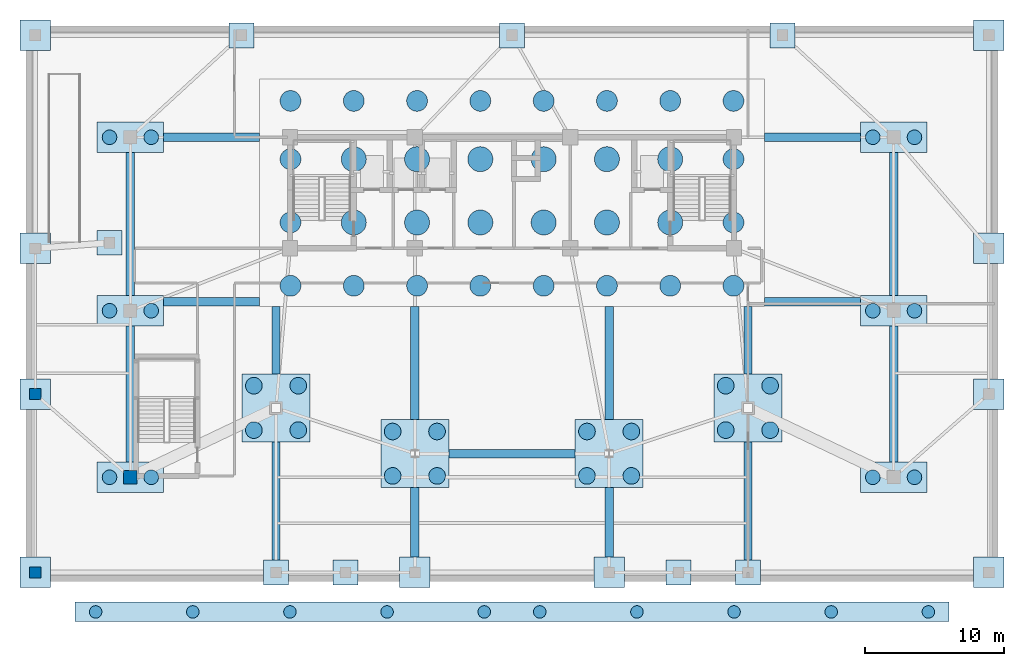
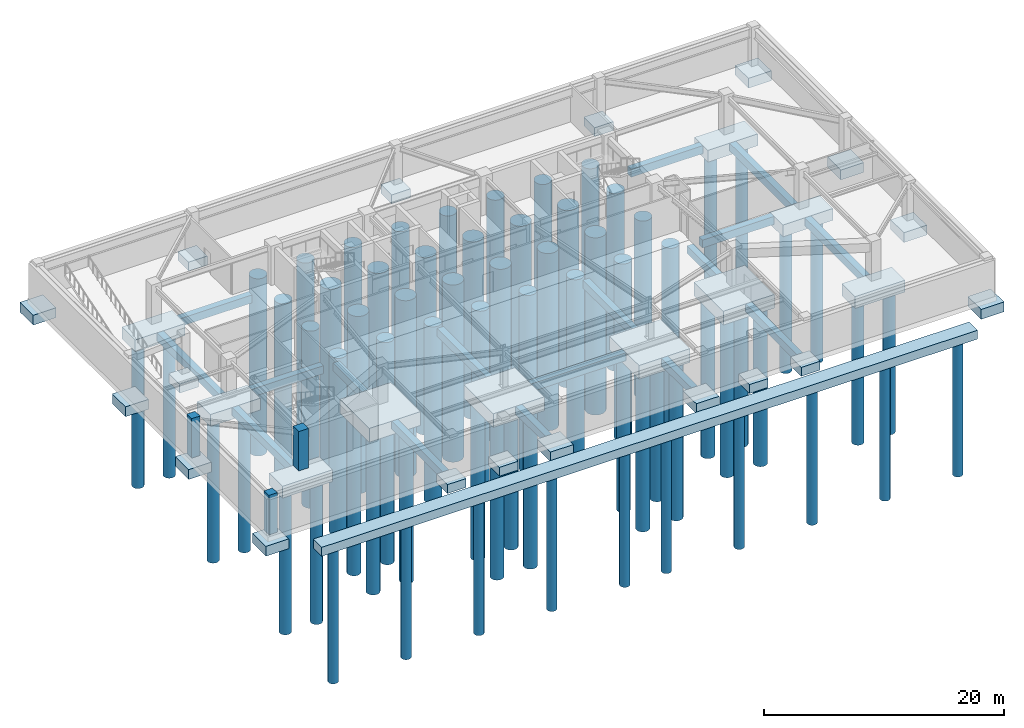
# One storey, part 1 of 10: 70 piles, 46 footings, 3 columns.
"""IFC4 building model written with IfcOpenShell, lengths in metres."""

from ifc_helpers import new_model, si_unit, direction, frame, origin, origin_2d, place, context, subcontext, project, spatial, rectangle, circle, extrude, source, transform, mapped, material, material_profile, profile_set, type_object, element, save


model = new_model("IFC4")

# Units and contexts
model_context = context("Model", 3, precision=1e-05, world=origin(), true_north=direction((0.0, 1.0)))
body_context = subcontext(model_context, "Body", "Model", "MODEL_VIEW")
ifc_project = project(units=[si_unit("LENGTHUNIT", "METRE"), si_unit("AREAUNIT", "SQUARE_METRE"), si_unit("VOLUMEUNIT", "CUBIC_METRE"), si_unit("PLANEANGLEUNIT", "RADIAN"), si_unit("MASSUNIT", "GRAM", prefix="KILO")], contexts=[model_context])

# Site, building, storey
site_placement = place(None, origin())
site = spatial("IfcSite", under=ifc_project, at=site_placement, CompositionType="ELEMENT")
building_placement = place(site_placement, origin())
building = spatial("IfcBuilding", under=site, at=building_placement, Name="Taldren Reach Tower", CompositionType="ELEMENT")
storey_placement = place(building_placement, frame((0.0, 0.0, -8.0)))
storey = spatial("IfcBuildingStorey", under=building, at=storey_placement, Name="B2", CompositionType="ELEMENT", Elevation=-8.0)

# Piles
ifc_material_1 = material(Name="Concrete S65 (65 MPa)", Category="concrete")
ifc_material_profile_1 = material_profile(ifc_material_1, circle(Radius=0.75, at=origin_2d()), Name="PB-1500")
ifc_profile_set_1 = profile_set([ifc_material_profile_1], Name="Concrete S65 (65 MPa)")
pile_type_1 = type_object("IfcPileType", Name="PILE-B1500", PredefinedType="BORED", material=ifc_profile_set_1)
shared_shape_1 = source(origin(), body_context, "Body", "SweptSolid", [
    extrude(circle(Radius=0.75, at=origin_2d()), origin(), (0.0, 0.0, 1.0), 18.0),
])
for number, where, z_axis, x_axis, name in (
    (1, (19.0400390625, 21.300048828125, -0.89990234375), (0.0, 0.0, -1.0), (1.0, 0.0, 0.0), "Core rock-socketed bored pile PR-01"),
    (2, (23.60009765625, 21.300048828125, -0.89990234375), (0.0, 0.0, -1.0), (1.0, 0.0, 0.0), "Core rock-socketed bored pile PR-02"),
    (3, (28.159912109375, 21.300048828125, -0.89990234375), (0.0, 0.0, -1.0), (1.0, 0.0, 0.0), "Core rock-socketed bored pile PR-03"),
    (4, (32.719970703125, 21.300048828125, -0.89990234375), (0.0, 0.0, -1.0), (1.0, 0.0, 0.0), "Core rock-socketed bored pile PR-04"),
    (5, (37.280029296875, 21.300048828125, -0.89990234375), (0.0, 0.0, -1.0), (1.0, 0.0, 0.0), "Core rock-socketed bored pile PR-05"),
    (6, (41.840087890625, 21.300048828125, -0.89990234375), (0.0, 0.0, -1.0), (1.0, 0.0, 0.0), "Core rock-socketed bored pile PR-06"),
    (7, (46.39990234375, 21.300048828125, -0.89990234375), (0.0, 0.0, -1.0), (1.0, 0.0, 0.0), "Core rock-socketed bored pile PR-07"),
    (8, (50.9599609375, 21.300048828125, -0.89990234375), (0.0, 0.0, -1.0), (1.0, 0.0, 0.0), "Core rock-socketed bored pile PR-08"),
    (9, (19.0400390625, 25.860107421875, -0.89990234375), (0.0, 0.0, -1.0), (1.0, 0.0, 0.0), "Core rock-socketed bored pile PR-09"),
    (10, (50.9599609375, 25.860107421875, -0.89990234375), (0.0, 0.0, -1.0), (1.0, 0.0, 0.0), "Core rock-socketed bored pile PR-16"),
    (11, (19.0400390625, 30.419921875, -0.89990234375), (0.0, 0.0, -1.0), (1.0, 0.0, 0.0), "Core rock-socketed bored pile PR-17"),
    (12, (50.9599609375, 30.419921875, -0.89990234375), (0.0, 0.0, -1.0), (1.0, 0.0, 0.0), "Core rock-socketed bored pile PR-24"),
    (13, (19.0400390625, 34.6201171875, -0.89990234375), (0.0, 0.0, -1.0), (1.0, 0.0, 0.0), "Core rock-socketed bored pile PR-25"),
    (14, (23.60009765625, 34.6201171875, -0.89990234375), (0.0, 0.0, -1.0), (1.0, 0.0, 0.0), "Core rock-socketed bored pile PR-26"),
    (15, (28.159912109375, 34.6201171875, -0.89990234375), (0.0, 0.0, -1.0), (1.0, 0.0, 0.0), "Core rock-socketed bored pile PR-27"),
    (16, (32.719970703125, 34.6201171875, -0.89990234375), (0.0, 0.0, -1.0), (1.0, 0.0, 0.0), "Core rock-socketed bored pile PR-28"),
    (17, (37.280029296875, 34.6201171875, -0.89990234375), (0.0, 0.0, -1.0), (1.0, 0.0, 0.0), "Core rock-socketed bored pile PR-29"),
    (18, (41.840087890625, 34.6201171875, -0.89990234375), (0.0, 0.0, -1.0), (1.0, 0.0, 0.0), "Core rock-socketed bored pile PR-30"),
    (19, (46.39990234375, 34.6201171875, -0.89990234375), (0.0, 0.0, -1.0), (1.0, 0.0, 0.0), "Core rock-socketed bored pile PR-31"),
    (20, (50.9599609375, 34.6201171875, -0.89990234375), (0.0, 0.0, -1.0), (1.0, 0.0, 0.0), "Core rock-socketed bored pile PR-32"),
):
    element("IfcPile", number, at=place(storey_placement, frame(where, z_axis=z_axis, x_axis=x_axis)), inside=storey, type_object=pile_type_1, Name=name, PredefinedType="BORED", context=body_context, shape_type="MappedRepresentation", body=[
        mapped(shared_shape_1, transform((0.0, 0.0, 0.0), scale=1.0)),
    ])
ifc_material_profile_2 = material_profile(ifc_material_1, circle(Radius=0.89990234375, at=origin_2d()), Name="PB-1800")
ifc_profile_set_2 = profile_set([ifc_material_profile_2], Name="Concrete S65 (65 MPa)")
pile_type_2 = type_object("IfcPileType", Name="PILE-B1800", PredefinedType="BORED", material=ifc_profile_set_2)
shared_shape_2 = source(origin(), body_context, "Body", "SweptSolid", [
    extrude(circle(Radius=0.89990234375, at=origin_2d()), origin(), (0.0, 0.0, 1.0), 18.0),
])
for number, where, z_axis, x_axis, name in (
    (21, (23.60009765625, 25.860107421875, -0.89990234375), (0.0, 0.0, -1.0), (1.0, 0.0, 0.0), "Core rock-socketed bored pile PR-10"),
    (22, (28.159912109375, 25.860107421875, -0.89990234375), (0.0, 0.0, -1.0), (1.0, 0.0, 0.0), "Core rock-socketed bored pile PR-11"),
    (23, (32.719970703125, 25.860107421875, -0.89990234375), (0.0, 0.0, -1.0), (1.0, 0.0, 0.0), "Core rock-socketed bored pile PR-12"),
    (24, (37.280029296875, 25.860107421875, -0.89990234375), (0.0, 0.0, -1.0), (1.0, 0.0, 0.0), "Core rock-socketed bored pile PR-13"),
    (25, (41.840087890625, 25.860107421875, -0.89990234375), (0.0, 0.0, -1.0), (1.0, 0.0, 0.0), "Core rock-socketed bored pile PR-14"),
    (26, (46.39990234375, 25.860107421875, -0.89990234375), (0.0, 0.0, -1.0), (1.0, 0.0, 0.0), "Core rock-socketed bored pile PR-15"),
    (27, (23.60009765625, 30.419921875, -0.89990234375), (0.0, 0.0, -1.0), (1.0, 0.0, 0.0), "Core rock-socketed bored pile PR-18"),
    (28, (28.159912109375, 30.419921875, -0.89990234375), (0.0, 0.0, -1.0), (1.0, 0.0, 0.0), "Core rock-socketed bored pile PR-19"),
    (29, (32.719970703125, 30.419921875, -0.89990234375), (0.0, 0.0, -1.0), (1.0, 0.0, 0.0), "Core rock-socketed bored pile PR-20"),
    (30, (37.280029296875, 30.419921875, -0.89990234375), (0.0, 0.0, -1.0), (1.0, 0.0, 0.0), "Core rock-socketed bored pile PR-21"),
    (31, (41.840087890625, 30.419921875, -0.89990234375), (0.0, 0.0, -1.0), (1.0, 0.0, 0.0), "Core rock-socketed bored pile PR-22"),
    (32, (46.39990234375, 30.419921875, -0.89990234375), (0.0, 0.0, -1.0), (1.0, 0.0, 0.0), "Core rock-socketed bored pile PR-23"),
):
    element("IfcPile", number, at=place(storey_placement, frame(where, z_axis=z_axis, x_axis=x_axis)), inside=storey, type_object=pile_type_2, Name=name, PredefinedType="BORED", context=body_context, shape_type="MappedRepresentation", body=[
        mapped(shared_shape_2, transform((0.0, 0.0, 0.0), scale=1.0)),
    ])

# Footings
footing_type_1 = type_object("IfcFootingType", Name="FT-CAP-4P", PredefinedType="PILE_CAP", material=ifc_material_1)
shared_shape_3 = source(origin(), body_context, "Body", "SweptSolid", [
    extrude(rectangle(XDim=4.89990234375, YDim=4.89990234375, at=origin_2d()), origin(), (0.0, 0.0, 1.0), 1.39990234375),
])
for number, where, z_axis, x_axis, name in (
    (33, (28.0, 9.199951171875, -1.89990234375), (0.0, 0.0, 1.0), (1.0, 0.0, 0.0), "Mega-column 4-pile cap MC-PJW"),
    (34, (42.0, 9.199951171875, -1.89990234375), (0.0, 0.0, 1.0), (1.0, 0.0, 0.0), "Mega-column 4-pile cap MC-PJE"),
    (35, (18.0, 12.5, -1.89990234375), (0.0, 0.0, 1.0), (1.0, 0.0, 0.0), "Mega-column 4-pile cap MC-SW"),
    (36, (52.0, 12.5, -1.89990234375), (0.0, 0.0, 1.0), (1.0, 0.0, 0.0), "Mega-column 4-pile cap MC-SE"),
):
    element("IfcFooting", number, at=place(storey_placement, frame(where, z_axis=z_axis, x_axis=x_axis)), inside=storey, type_object=footing_type_1, Name=name, PredefinedType="PILE_CAP", context=body_context, shape_type="MappedRepresentation", body=[
        mapped(shared_shape_3, transform((0.0, 0.0, 0.0), scale=1.0)),
    ])

# Piles
ifc_material_profile_3 = material_profile(ifc_material_1, circle(Radius=0.60009765625, at=origin_2d()), Name="PB-1200")
ifc_profile_set_3 = profile_set([ifc_material_profile_3], Name="Concrete S65 (65 MPa)")
pile_type_3 = type_object("IfcPileType", Name="PILE-B1200", PredefinedType="BORED", material=ifc_profile_set_3)
shared_shape_4 = source(origin(), body_context, "Body", "SweptSolid", [
    extrude(circle(Radius=0.60009765625, at=origin_2d()), origin(), (0.0, 0.0, 1.0), 16.5),
])
for number, where, z_axis, x_axis, name in (
    (37, (26.39990234375, 7.60009765625, -1.300048828125), (0.0, 0.0, -1.0), (1.0, 0.0, 0.0), "Cap bored pile MC-PJW-1"),
    (38, (26.39990234375, 10.800048828125, -1.300048828125), (0.0, 0.0, -1.0), (1.0, 0.0, 0.0), "Cap bored pile MC-PJW-2"),
    (39, (29.60009765625, 7.60009765625, -1.300048828125), (0.0, 0.0, -1.0), (1.0, 0.0, 0.0), "Cap bored pile MC-PJW-3"),
    (40, (29.60009765625, 10.800048828125, -1.300048828125), (0.0, 0.0, -1.0), (1.0, 0.0, 0.0), "Cap bored pile MC-PJW-4"),
    (41, (40.39990234375, 7.60009765625, -1.300048828125), (0.0, 0.0, -1.0), (1.0, 0.0, 0.0), "Cap bored pile MC-PJE-1"),
    (42, (40.39990234375, 10.800048828125, -1.300048828125), (0.0, 0.0, -1.0), (1.0, 0.0, 0.0), "Cap bored pile MC-PJE-2"),
    (43, (43.60009765625, 7.60009765625, -1.300048828125), (0.0, 0.0, -1.0), (1.0, 0.0, 0.0), "Cap bored pile MC-PJE-3"),
    (44, (43.60009765625, 10.800048828125, -1.300048828125), (0.0, 0.0, -1.0), (1.0, 0.0, 0.0), "Cap bored pile MC-PJE-4"),
    (45, (16.39990234375, 10.89990234375, -1.300048828125), (0.0, 0.0, -1.0), (1.0, 0.0, 0.0), "Cap bored pile MC-SW-1"),
    (46, (16.39990234375, 14.10009765625, -1.300048828125), (0.0, 0.0, -1.0), (1.0, 0.0, 0.0), "Cap bored pile MC-SW-2"),
    (47, (19.60009765625, 10.89990234375, -1.300048828125), (0.0, 0.0, -1.0), (1.0, 0.0, 0.0), "Cap bored pile MC-SW-3"),
    (48, (19.60009765625, 14.10009765625, -1.300048828125), (0.0, 0.0, -1.0), (1.0, 0.0, 0.0), "Cap bored pile MC-SW-4"),
    (49, (50.39990234375, 10.89990234375, -1.300048828125), (0.0, 0.0, -1.0), (1.0, 0.0, 0.0), "Cap bored pile MC-SE-1"),
    (50, (50.39990234375, 14.10009765625, -1.300048828125), (0.0, 0.0, -1.0), (1.0, 0.0, 0.0), "Cap bored pile MC-SE-2"),
    (51, (53.60009765625, 10.89990234375, -1.300048828125), (0.0, 0.0, -1.0), (1.0, 0.0, 0.0), "Cap bored pile MC-SE-3"),
    (52, (53.60009765625, 14.10009765625, -1.300048828125), (0.0, 0.0, -1.0), (1.0, 0.0, 0.0), "Cap bored pile MC-SE-4"),
):
    element("IfcPile", number, at=place(storey_placement, frame(where, z_axis=z_axis, x_axis=x_axis)), inside=storey, type_object=pile_type_3, Name=name, PredefinedType="BORED", context=body_context, shape_type="MappedRepresentation", body=[
        mapped(shared_shape_4, transform((0.0, 0.0, 0.0), scale=1.0)),
    ])

# Footings
footing_type_2 = type_object("IfcFootingType", Name="FT-CAP-2P", PredefinedType="PILE_CAP", material=ifc_material_1)
shared_shape_5 = source(origin(), body_context, "Body", "SweptSolid", [
    extrude(rectangle(XDim=4.800048828125, YDim=2.199951171875, at=origin_2d()), origin(), (0.0, 0.0, 1.0), 1.199951171875),
])
for number, where, z_axis, x_axis, name in (
    (53, (7.5, 7.5, -1.7001953125), (0.0, 0.0, 1.0), (1.0, 0.0, 0.0), "Podium 2-pile cap PG-1"),
    (54, (7.5, 19.5, -1.7001953125), (0.0, 0.0, 1.0), (1.0, 0.0, 0.0), "Podium 2-pile cap PG-2"),
    (55, (7.5, 32.0, -1.7001953125), (0.0, 0.0, 1.0), (1.0, 0.0, 0.0), "Podium 2-pile cap PG-3"),
    (56, (62.5, 7.5, -1.7001953125), (0.0, 0.0, 1.0), (1.0, 0.0, 0.0), "Podium 2-pile cap PG-4"),
    (57, (62.5, 19.5, -1.7001953125), (0.0, 0.0, 1.0), (1.0, 0.0, 0.0), "Podium 2-pile cap PG-5"),
    (58, (62.5, 32.0, -1.7001953125), (0.0, 0.0, 1.0), (1.0, 0.0, 0.0), "Podium 2-pile cap PG-6"),
):
    element("IfcFooting", number, at=place(storey_placement, frame(where, z_axis=z_axis, x_axis=x_axis)), inside=storey, type_object=footing_type_2, Name=name, PredefinedType="PILE_CAP", context=body_context, shape_type="MappedRepresentation", body=[
        mapped(shared_shape_5, transform((0.0, 0.0, 0.0), scale=1.0)),
    ])

# Piles
ifc_material_profile_4 = material_profile(ifc_material_1, circle(Radius=0.52490234375, at=origin_2d()), Name="PB-1050")
ifc_profile_set_4 = profile_set([ifc_material_profile_4], Name="Concrete S65 (65 MPa)")
pile_type_4 = type_object("IfcPileType", Name="PILE-B1050", PredefinedType="BORED", material=ifc_profile_set_4)
shared_shape_6 = source(origin(), body_context, "Body", "SweptSolid", [
    extrude(circle(Radius=0.52490234375, at=origin_2d()), origin(), (0.0, 0.0, 1.0), 15.0),
])
for number, where, z_axis, x_axis, name in (
    (59, (6.0, 7.5, -1.199951171875), (0.0, 0.0, -1.0), (1.0, 0.0, 0.0), "Cap bored pile PG-1-1"),
    (60, (9.0, 7.5, -1.199951171875), (0.0, 0.0, -1.0), (1.0, 0.0, 0.0), "Cap bored pile PG-1-2"),
    (61, (6.0, 19.5, -1.199951171875), (0.0, 0.0, -1.0), (1.0, 0.0, 0.0), "Cap bored pile PG-2-1"),
    (62, (9.0, 19.5, -1.199951171875), (0.0, 0.0, -1.0), (1.0, 0.0, 0.0), "Cap bored pile PG-2-2"),
    (63, (6.0, 32.0, -1.199951171875), (0.0, 0.0, -1.0), (1.0, 0.0, 0.0), "Cap bored pile PG-3-1"),
    (64, (9.0, 32.0, -1.199951171875), (0.0, 0.0, -1.0), (1.0, 0.0, 0.0), "Cap bored pile PG-3-2"),
    (65, (61.0, 7.5, -1.199951171875), (0.0, 0.0, -1.0), (1.0, 0.0, 0.0), "Cap bored pile PG-4-1"),
    (66, (64.0, 7.5, -1.199951171875), (0.0, 0.0, -1.0), (1.0, 0.0, 0.0), "Cap bored pile PG-4-2"),
    (67, (61.0, 19.5, -1.199951171875), (0.0, 0.0, -1.0), (1.0, 0.0, 0.0), "Cap bored pile PG-5-1"),
    (68, (64.0, 19.5, -1.199951171875), (0.0, 0.0, -1.0), (1.0, 0.0, 0.0), "Cap bored pile PG-5-2"),
    (69, (61.0, 32.0, -1.199951171875), (0.0, 0.0, -1.0), (1.0, 0.0, 0.0), "Cap bored pile PG-6-1"),
    (70, (64.0, 32.0, -1.199951171875), (0.0, 0.0, -1.0), (1.0, 0.0, 0.0), "Cap bored pile PG-6-2"),
):
    element("IfcPile", number, at=place(storey_placement, frame(where, z_axis=z_axis, x_axis=x_axis)), inside=storey, type_object=pile_type_4, Name=name, PredefinedType="BORED", context=body_context, shape_type="MappedRepresentation", body=[
        mapped(shared_shape_6, transform((0.0, 0.0, 0.0), scale=1.0)),
    ])

# Footings
ifc_material_2 = material(Name="Concrete S50 (50 MPa)", Category="concrete")
footing_type_3 = type_object("IfcFootingType", Name="FT-PAD-2200", PredefinedType="PAD_FOOTING", material=ifc_material_2)
shared_shape_7 = source(origin(), body_context, "Body", "SweptSolid", [
    extrude(rectangle(XDim=2.199951171875, YDim=2.199951171875, at=origin_2d()), origin(), (0.0, 0.0, 1.0), 1.0),
])
for number, where, z_axis, x_axis, name in (
    (71, (28.0, 0.64990234375, -1.5), (0.0, 0.0, 1.0), (1.0, 0.0, 0.0), "Rock-bearing pad footing PG-7"),
    (72, (42.0, 0.64990234375, -1.5), (0.0, 0.0, 1.0), (1.0, 0.0, 0.0), "Rock-bearing pad footing PG-8"),
    (73, (0.64990234375, 0.64990234375, -1.5), (0.0, 0.0, 1.0), (1.0, 0.0, 0.0), "Rock-bearing pad footing PP-W1"),
    (74, (0.64990234375, 13.5, -1.5), (0.0, 0.0, 1.0), (1.0, 0.0, 0.0), "Rock-bearing pad footing PP-W2"),
    (75, (0.64990234375, 24.0, -1.5), (0.0, 0.0, 1.0), (1.0, 0.0, 0.0), "Rock-bearing pad footing PP-W3"),
    (76, (0.64990234375, 39.35009765625, -1.5), (0.0, 0.0, 1.0), (1.0, 0.0, 0.0), "Rock-bearing pad footing PP-W4"),
    (77, (69.35009765625, 0.64990234375, -1.5), (0.0, 0.0, 1.0), (1.0, 0.0, 0.0), "Rock-bearing pad footing PP-E1"),
    (78, (69.35009765625, 13.5, -1.5), (0.0, 0.0, 1.0), (1.0, 0.0, 0.0), "Rock-bearing pad footing PP-E2"),
    (79, (69.35009765625, 24.0, -1.5), (0.0, 0.0, 1.0), (1.0, 0.0, 0.0), "Rock-bearing pad footing PP-E3"),
    (80, (69.35009765625, 39.35009765625, -1.5), (0.0, 0.0, 1.0), (1.0, 0.0, 0.0), "Rock-bearing pad footing PP-E4"),
):
    element("IfcFooting", number, at=place(storey_placement, frame(where, z_axis=z_axis, x_axis=x_axis)), inside=storey, type_object=footing_type_3, Name=name, PredefinedType="PAD_FOOTING", context=body_context, shape_type="MappedRepresentation", body=[
        mapped(shared_shape_7, transform((0.0, 0.0, 0.0), scale=1.0)),
    ])
footing_type_4 = type_object("IfcFootingType", Name="FT-PAD-1800", PredefinedType="PAD_FOOTING", material=ifc_material_2)
shared_shape_8 = source(origin(), body_context, "Body", "SweptSolid", [
    extrude(rectangle(XDim=1.800048828125, YDim=1.800048828125, at=origin_2d()), origin(), (0.0, 0.0, 1.0), 0.89990234375),
])
for number, where, z_axis, x_axis, name in (
    (81, (18.0, 0.64990234375, -1.39990234375), (0.0, 0.0, 1.0), (1.0, 0.0, 0.0), "Rock-bearing pad footing PP-S1"),
    (82, (23.0, 0.64990234375, -1.39990234375), (0.0, 0.0, 1.0), (1.0, 0.0, 0.0), "Rock-bearing pad footing PP-S2"),
    (83, (47.0, 0.64990234375, -1.39990234375), (0.0, 0.0, 1.0), (1.0, 0.0, 0.0), "Rock-bearing pad footing PP-S3"),
    (84, (52.0, 0.64990234375, -1.39990234375), (0.0, 0.0, 1.0), (1.0, 0.0, 0.0), "Rock-bearing pad footing PP-S4"),
    (85, (15.5, 39.35009765625, -1.39990234375), (0.0, 0.0, 1.0), (1.0, 0.0, 0.0), "Rock-bearing pad footing PP-N1"),
    (86, (35.0, 39.35009765625, -1.39990234375), (0.0, 0.0, 1.0), (1.0, 0.0, 0.0), "Rock-bearing pad footing PP-N2"),
    (87, (54.5, 39.35009765625, -1.39990234375), (0.0, 0.0, 1.0), (1.0, 0.0, 0.0), "Rock-bearing pad footing PP-N3"),
    (88, (6.0, 24.39990234375, -1.39990234375), (0.0, 0.0, 1.0), (1.0, 0.0, 0.0), "Rock-bearing pad footing PG-RMP"),
):
    element("IfcFooting", number, at=place(storey_placement, frame(where, z_axis=z_axis, x_axis=x_axis)), inside=storey, type_object=footing_type_4, Name=name, PredefinedType="PAD_FOOTING", context=body_context, shape_type="MappedRepresentation", body=[
        mapped(shared_shape_8, transform((0.0, 0.0, 0.0), scale=1.0)),
    ])
footing_type_5 = type_object("IfcFootingType", Name="FT-GB-900", PredefinedType="FOOTING_BEAM", material=ifc_material_1)
shared_shape_9 = source(origin(), body_context, "Body", "SweptSolid", [
    extrude(rectangle(XDim=63.0, YDim=1.39990234375, at=origin_2d()), origin(), (0.0, 0.0, 1.0), 0.89990234375),
])
footing_1_placement = place(storey_placement, frame((35.0, -2.199951171875, -1.39990234375), z_axis=(0.0, 0.0, 1.0), x_axis=(1.0, 0.0, 0.0)))
element("IfcFooting", 89, at=footing_1_placement, inside=storey, type_object=footing_type_5, Name="Riverfront soldier-pile capping beam FB-900", PredefinedType="FOOTING_BEAM", context=body_context, shape_type="MappedRepresentation", body=[
    mapped(shared_shape_9, transform((0.0, 0.0, 0.0), scale=1.0)),
])

# Piles
ifc_material_profile_5 = material_profile(ifc_material_1, circle(Radius=0.449951171875, at=origin_2d()), Name="PD-900")
ifc_profile_set_5 = profile_set([ifc_material_profile_5], Name="Concrete S65 (65 MPa)")
pile_type_5 = type_object("IfcPileType", Name="PILE-D900", PredefinedType="DRIVEN", material=ifc_profile_set_5)
shared_shape_10 = source(origin(), body_context, "Body", "SweptSolid", [
    extrude(circle(Radius=0.449951171875, at=origin_2d()), origin(), (0.0, 0.0, 1.0), 14.0),
])
for number, where, z_axis, x_axis, name in (
    (90, (5.0, -2.199951171875, -1.0), (0.0, 0.0, -1.0), (1.0, 0.0, 0.0), "Driven steel-cased retention pile PD-01"),
    (91, (12.0, -2.199951171875, -1.0), (0.0, 0.0, -1.0), (1.0, 0.0, 0.0), "Driven steel-cased retention pile PD-02"),
    (92, (19.0, -2.199951171875, -1.0), (0.0, 0.0, -1.0), (1.0, 0.0, 0.0), "Driven steel-cased retention pile PD-03"),
    (93, (26.0, -2.199951171875, -1.0), (0.0, 0.0, -1.0), (1.0, 0.0, 0.0), "Driven steel-cased retention pile PD-04"),
    (94, (33.0, -2.199951171875, -1.0), (0.0, 0.0, -1.0), (1.0, 0.0, 0.0), "Driven steel-cased retention pile PD-05"),
    (95, (37.0, -2.199951171875, -1.0), (0.0, 0.0, -1.0), (1.0, 0.0, 0.0), "Driven steel-cased retention pile PD-06"),
    (96, (44.0, -2.199951171875, -1.0), (0.0, 0.0, -1.0), (1.0, 0.0, 0.0), "Driven steel-cased retention pile PD-07"),
    (97, (51.0, -2.199951171875, -1.0), (0.0, 0.0, -1.0), (1.0, 0.0, 0.0), "Driven steel-cased retention pile PD-08"),
    (98, (58.0, -2.199951171875, -1.0), (0.0, 0.0, -1.0), (1.0, 0.0, 0.0), "Driven steel-cased retention pile PD-09"),
    (99, (65.0, -2.199951171875, -1.0), (0.0, 0.0, -1.0), (1.0, 0.0, 0.0), "Driven steel-cased retention pile PD-10"),
):
    element("IfcPile", number, at=place(storey_placement, frame(where, z_axis=z_axis, x_axis=x_axis)), inside=storey, type_object=pile_type_5, Name=name, PredefinedType="DRIVEN", context=body_context, shape_type="MappedRepresentation", body=[
        mapped(shared_shape_10, transform((0.0, 0.0, 0.0), scale=1.0)),
    ])

# Footings
footing_type_6 = type_object("IfcFootingType", Name="FT-GB-600", PredefinedType="FOOTING_BEAM", material=ifc_material_2)
shared_shape_11 = source(origin(), body_context, "Body", "SweptSolid", [
    extrude(rectangle(XDim=9.800048828125, YDim=0.60009765625, at=origin_2d()), origin(), (0.0, 0.0, 1.0), 0.800048828125),
])
for number, where, z_axis, x_axis, name in (
    (100, (7.5, 13.5, -1.2998046875), (0.0, 0.0, 1.0), (0.0, 1.0, 0.0), "Orthogonal foundation ground beam GB-W1"),
    (101, (62.5, 13.5, -1.2998046875), (0.0, 0.0, 1.0), (0.0, 1.0, 0.0), "Orthogonal foundation ground beam GB-E1"),
):
    element("IfcFooting", number, at=place(storey_placement, frame(where, z_axis=z_axis, x_axis=x_axis)), inside=storey, type_object=footing_type_6, Name=name, PredefinedType="FOOTING_BEAM", context=body_context, shape_type="MappedRepresentation", body=[
        mapped(shared_shape_11, transform((0.0, 0.0, 0.0), scale=1.0)),
    ])
shared_shape_12 = source(origin(), body_context, "Body", "SweptSolid", [
    extrude(rectangle(XDim=10.300048828125, YDim=0.60009765625, at=origin_2d()), origin(), (0.0, 0.0, 1.0), 0.800048828125),
])
for number, where, z_axis, x_axis, name in (
    (102, (7.5, 25.75, -1.2998046875), (0.0, 0.0, 1.0), (0.0, 1.0, 0.0), "Orthogonal foundation ground beam GB-W2"),
    (103, (62.5, 25.75, -1.2998046875), (0.0, 0.0, 1.0), (0.0, 1.0, 0.0), "Orthogonal foundation ground beam GB-E2"),
):
    element("IfcFooting", number, at=place(storey_placement, frame(where, z_axis=z_axis, x_axis=x_axis)), inside=storey, type_object=footing_type_6, Name=name, PredefinedType="FOOTING_BEAM", context=body_context, shape_type="MappedRepresentation", body=[
        mapped(shared_shape_12, transform((0.0, 0.0, 0.0), scale=1.0)),
    ])
shared_shape_13 = source(origin(), body_context, "Body", "SweptSolid", [
    extrude(rectangle(XDim=6.89990234375, YDim=0.60009765625, at=origin_2d()), origin(), (0.0, 0.0, 1.0), 0.800048828125),
])
for number, where, z_axis, x_axis, name in (
    (104, (13.35009765625, 20.14990234375, -1.2998046875), (0.0, 0.0, 1.0), (1.0, 0.0, 0.0), "Orthogonal foundation ground beam GB-CW1"),
    (105, (56.64990234375, 20.14990234375, -1.2998046875), (0.0, 0.0, 1.0), (1.0, 0.0, 0.0), "Orthogonal foundation ground beam GB-CE1"),
    (106, (13.35009765625, 32.0, -1.2998046875), (0.0, 0.0, 1.0), (1.0, 0.0, 0.0), "Orthogonal foundation ground beam GB-CW2"),
    (107, (56.64990234375, 32.0, -1.2998046875), (0.0, 0.0, 1.0), (1.0, 0.0, 0.0), "Orthogonal foundation ground beam GB-CE2"),
):
    element("IfcFooting", number, at=place(storey_placement, frame(where, z_axis=z_axis, x_axis=x_axis)), inside=storey, type_object=footing_type_6, Name=name, PredefinedType="FOOTING_BEAM", context=body_context, shape_type="MappedRepresentation", body=[
        mapped(shared_shape_13, transform((0.0, 0.0, 0.0), scale=1.0)),
    ])
shared_shape_14 = source(origin(), body_context, "Body", "SweptSolid", [
    extrude(rectangle(XDim=9.10009765625, YDim=0.60009765625, at=origin_2d()), origin(), (0.0, 0.0, 1.0), 0.800048828125),
])
footing_2_placement = place(storey_placement, frame((35.0, 9.199951171875, -1.2998046875), z_axis=(0.0, 0.0, 1.0), x_axis=(1.0, 0.0, 0.0)))
element("IfcFooting", 108, at=footing_2_placement, inside=storey, type_object=footing_type_6, Name="Orthogonal foundation ground beam GB-S1", PredefinedType="FOOTING_BEAM", context=body_context, shape_type="MappedRepresentation", body=[
    mapped(shared_shape_14, transform((0.0, 0.0, 0.0), scale=1.0)),
])
shared_shape_15 = source(origin(), body_context, "Body", "SweptSolid", [
    extrude(rectangle(XDim=5.0, YDim=0.60009765625, at=origin_2d()), origin(), (0.0, 0.0, 1.0), 0.800048828125),
])
for number, where, z_axis, x_axis, name in (
    (109, (28.0, 4.25, -1.2998046875), (0.0, 0.0, 1.0), (0.0, 1.0, 0.0), "Orthogonal foundation ground beam GB-S2"),
    (110, (42.0, 4.25, -1.2998046875), (0.0, 0.0, 1.0), (0.0, 1.0, 0.0), "Orthogonal foundation ground beam GB-S4"),
):
    element("IfcFooting", number, at=place(storey_placement, frame(where, z_axis=z_axis, x_axis=x_axis)), inside=storey, type_object=footing_type_6, Name=name, PredefinedType="FOOTING_BEAM", context=body_context, shape_type="MappedRepresentation", body=[
        mapped(shared_shape_15, transform((0.0, 0.0, 0.0), scale=1.0)),
    ])
shared_shape_16 = source(origin(), body_context, "Body", "SweptSolid", [
    extrude(rectangle(XDim=8.14990234375, YDim=0.60009765625, at=origin_2d()), origin(), (0.0, 0.0, 1.0), 0.800048828125),
])
for number, where, z_axis, x_axis, name in (
    (111, (28.0, 15.72509765625, -1.2998046875), (0.0, 0.0, 1.0), (0.0, 1.0, 0.0), "Orthogonal foundation ground beam GB-S3"),
    (112, (42.0, 15.72509765625, -1.2998046875), (0.0, 0.0, 1.0), (0.0, 1.0, 0.0), "Orthogonal foundation ground beam GB-S5"),
):
    element("IfcFooting", number, at=place(storey_placement, frame(where, z_axis=z_axis, x_axis=x_axis)), inside=storey, type_object=footing_type_6, Name=name, PredefinedType="FOOTING_BEAM", context=body_context, shape_type="MappedRepresentation", body=[
        mapped(shared_shape_16, transform((0.0, 0.0, 0.0), scale=1.0)),
    ])
shared_shape_17 = source(origin(), body_context, "Body", "SweptSolid", [
    extrude(rectangle(XDim=8.5, YDim=0.60009765625, at=origin_2d()), origin(), (0.0, 0.0, 1.0), 0.800048828125),
])
for number, where, z_axis, x_axis, name in (
    (113, (18.0, 5.800048828125, -1.2998046875), (0.0, 0.0, 1.0), (0.0, 1.0, 0.0), "Orthogonal foundation ground beam GB-S6"),
    (114, (52.0, 5.800048828125, -1.2998046875), (0.0, 0.0, 1.0), (0.0, 1.0, 0.0), "Orthogonal foundation ground beam GB-S8"),
):
    element("IfcFooting", number, at=place(storey_placement, frame(where, z_axis=z_axis, x_axis=x_axis)), inside=storey, type_object=footing_type_6, Name=name, PredefinedType="FOOTING_BEAM", context=body_context, shape_type="MappedRepresentation", body=[
        mapped(shared_shape_17, transform((0.0, 0.0, 0.0), scale=1.0)),
    ])
shared_shape_18 = source(origin(), body_context, "Body", "SweptSolid", [
    extrude(rectangle(XDim=4.85009765625, YDim=0.60009765625, at=origin_2d()), origin(), (0.0, 0.0, 1.0), 0.800048828125),
])
for number, where, z_axis, x_axis, name in (
    (115, (18.0, 17.375, -1.2998046875), (0.0, 0.0, 1.0), (0.0, 1.0, 0.0), "Orthogonal foundation ground beam GB-S7"),
    (116, (52.0, 17.375, -1.2998046875), (0.0, 0.0, 1.0), (0.0, 1.0, 0.0), "Orthogonal foundation ground beam GB-S9"),
):
    element("IfcFooting", number, at=place(storey_placement, frame(where, z_axis=z_axis, x_axis=x_axis)), inside=storey, type_object=footing_type_6, Name=name, PredefinedType="FOOTING_BEAM", context=body_context, shape_type="MappedRepresentation", body=[
        mapped(shared_shape_18, transform((0.0, 0.0, 0.0), scale=1.0)),
    ])

# Columns
ifc_material_3 = material(Name="Concrete S80 (80 MPa)", Category="concrete")
ifc_material_profile_6 = material_profile(ifc_material_3, rectangle(XDim=0.949951171875, YDim=0.949951171875, at=origin_2d()), Name="RC-950x950")
ifc_profile_set_6 = profile_set([ifc_material_profile_6], Name="Concrete S80 (80 MPa)")
column_type_1 = type_object("IfcColumnType", Name="COL-RC950", PredefinedType="COLUMN", material=ifc_profile_set_6)
shared_shape_19 = source(origin(), body_context, "Body", "SweptSolid", [
    extrude(rectangle(XDim=0.949951171875, YDim=0.949951171875, at=origin_2d()), origin(), (0.0, 0.0, 1.0), 4.0),
])
column_placement = place(storey_placement, frame((7.5, 7.5, 0.0), z_axis=(0.0, 0.0, 1.0), x_axis=(1.0, 0.0, 0.0)))
element("IfcColumn", 117, at=column_placement, inside=storey, type_object=column_type_1, Name="Podium structural column PG-1 B2", PredefinedType="COLUMN", context=body_context, shape_type="MappedRepresentation", body=[
    mapped(shared_shape_19, transform((0.0, 0.0, 0.0), scale=1.0)),
])
ifc_material_profile_7 = material_profile(ifc_material_1, rectangle(XDim=0.800048828125, YDim=0.800048828125, at=origin_2d()), Name="RC-800x800")
ifc_profile_set_7 = profile_set([ifc_material_profile_7], Name="Concrete S65 (65 MPa)")
column_type_2 = type_object("IfcColumnType", Name="COL-RC800", PredefinedType="COLUMN", material=ifc_profile_set_7)
shared_shape_20 = source(origin(), body_context, "Body", "SweptSolid", [
    extrude(rectangle(XDim=0.800048828125, YDim=0.800048828125, at=origin_2d()), origin(), (0.0, 0.0, 1.0), 4.0),
])
for number, where, z_axis, x_axis, name in (
    (118, (0.64990234375, 0.64990234375, 0.0), (0.0, 0.0, 1.0), (1.0, 0.0, 0.0), "Podium structural column PP-W1 B2"),
    (119, (0.64990234375, 13.5, 0.0), (0.0, 0.0, 1.0), (1.0, 0.0, 0.0), "Podium structural column PP-W2 B2"),
):
    element("IfcColumn", number, at=place(storey_placement, frame(where, z_axis=z_axis, x_axis=x_axis)), inside=storey, type_object=column_type_2, Name=name, PredefinedType="COLUMN", context=body_context, shape_type="MappedRepresentation", body=[
        mapped(shared_shape_20, transform((0.0, 0.0, 0.0), scale=1.0)),
    ])

save(model, "model.ifc")
